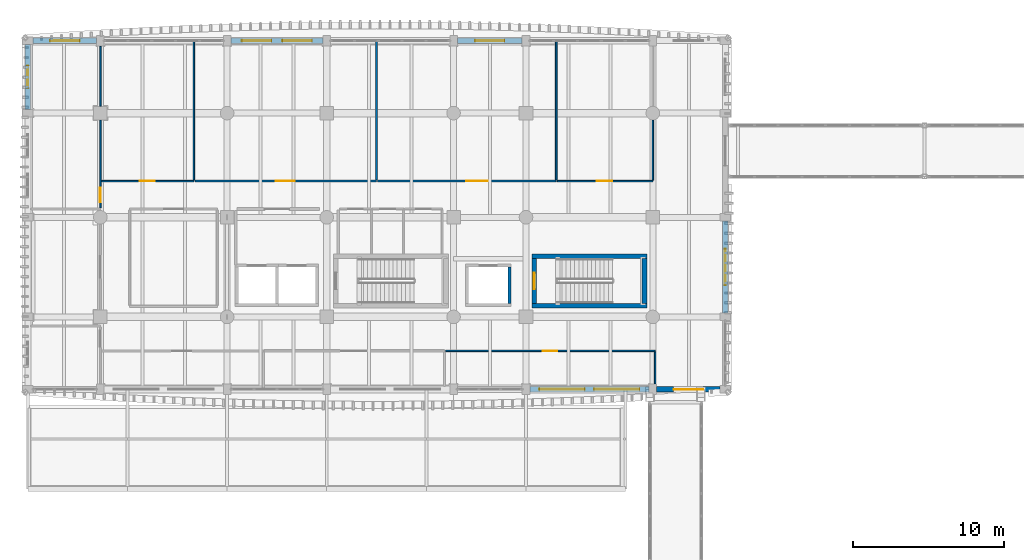
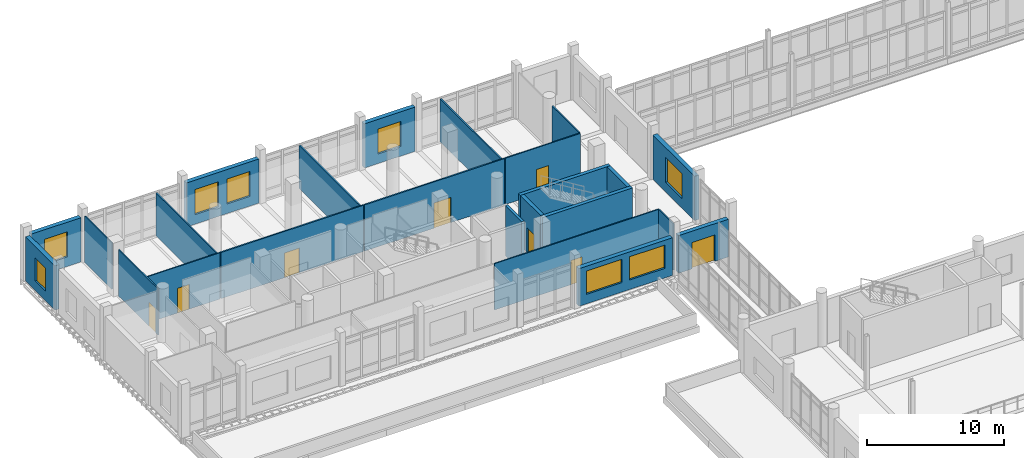
# One storey, part 92 of 125: 24 walls, 8 doors, 8 windows, 16 openings.
"""IFC4 building model written with IfcOpenShell, lengths in metres."""

import ifcopenshell
import ifcopenshell.guid

model = None  # the IFC model being written
_history = None  # IfcOwnerHistory: only IFC2X3 demands one
_inside = {}  # id of a spatial element -> (the spatial element, [elements in it])
_under = {}  # id of a project, library or spatial element -> (it, [spatial elements below it])
_declared = {}  # id of a project -> (the project, [libraries it declares])
_typed = {}  # id of a type object -> (the type object, [elements of that type])
_made_of = {}  # id of a material, layer set ... -> (it, [elements and type objects made of it])


def new_model(schema):
    """Start an empty IFC model of exactly this schema.

    Asked for "IFC4X3", IfcOpenShell would pick the latest addendum, in which some entities
    have other attributes; the version numbers below select the first issue.
    IFC2X3 requires an IfcOwnerHistory on every rooted entity: one is made here for all.
    """
    global model, _history
    if schema == "IFC4X3":
        model = ifcopenshell.file(schema_version=(4, 3, 0, 0))
    else:
        model = ifcopenshell.file(schema=schema)
    _inside.clear()
    _under.clear()
    _declared.clear()
    _typed.clear()
    _made_of.clear()
    _history = None
    if model.schema == "IFC2X3":
        org = make("IfcOrganization", Name="unknown")
        user = make(
            "IfcPersonAndOrganization",
            ThePerson=make("IfcPerson", FamilyName="unknown"),
            TheOrganization=org,
        )
        app = make(
            "IfcApplication",
            ApplicationDeveloper=org,
            Version="unknown",
            ApplicationFullName="unknown",
            ApplicationIdentifier="unknown",
        )
        _history = make(
            "IfcOwnerHistory",
            OwningUser=user,
            OwningApplication=app,
            ChangeAction="ADDED",
            CreationDate=0,
        )
    return model


def make(cls, **values):
    """One entity of the class cls with the attributes given. An attribute that is None is left unset."""
    return model.create_entity(
        cls, **{name: value for name, value in values.items() if value is not None}
    )


def rooted(cls, **values):
    """An entity with a GlobalId (a new one), such as an element, a storey or a relation."""
    return make(cls, GlobalId=ifcopenshell.guid.new(), OwnerHistory=_history, **values)


def si_unit(unit_type, name, prefix=None):
    """IfcSIUnit, for example si_unit("LENGTHUNIT", "METRE", prefix="MILLI")."""
    return make("IfcSIUnit", UnitType=unit_type, Prefix=prefix, Name=name)


def assignment(units):
    """IfcUnitAssignment: the units of a project."""
    return None if units is None else make("IfcUnitAssignment", Units=units)


def point(xyz):
    """IfcCartesianPoint."""
    return None if xyz is None else make("IfcCartesianPoint", Coordinates=xyz)


def direction(xyz):
    """IfcDirection."""
    return None if xyz is None else make("IfcDirection", DirectionRatios=xyz)


def frame(location, z_axis=None, x_axis=None):
    """IfcAxis2Placement3D, a coordinate frame: its origin and axes. An axis left out is left unset."""
    return make(
        "IfcAxis2Placement3D",
        Location=point(location),
        Axis=direction(z_axis),
        RefDirection=direction(x_axis),
    )


def frame_2d(location, x_axis=None):
    """IfcAxis2Placement2D, a coordinate frame in the plane: its origin and x axis."""
    return make(
        "IfcAxis2Placement2D", Location=point(location), RefDirection=direction(x_axis)
    )


def origin():
    """The frame at (0, 0, 0) with its axes left unset."""
    return frame((0.0, 0.0, 0.0))


def place(relative_to, where):
    """IfcLocalPlacement: puts the frame where relative to a parent placement (None: the world)."""
    return make(
        "IfcLocalPlacement", PlacementRelTo=relative_to, RelativePlacement=where
    )


def context(
    kind, dimensions, precision=None, world=None, true_north=None, identifier=None
):
    """IfcGeometricRepresentationContext, for example the 3D "Model" context."""
    return make(
        "IfcGeometricRepresentationContext",
        ContextIdentifier=identifier,
        ContextType=kind,
        CoordinateSpaceDimension=dimensions,
        Precision=precision,
        WorldCoordinateSystem=world,
        TrueNorth=true_north,
    )


def subcontext(parent, identifier, kind, view, scale=None):
    """IfcGeometricRepresentationSubContext, for example "Body" below "Model"."""
    return make(
        "IfcGeometricRepresentationSubContext",
        ContextIdentifier=identifier,
        ContextType=kind,
        ParentContext=parent,
        TargetScale=scale,
        TargetView=view,
    )


def project(units=None, contexts=None):
    """IfcProject with its units and contexts."""
    return rooted(
        "IfcProject",
        Name="project",
        RepresentationContexts=contexts,
        UnitsInContext=assignment(units),
    )


def spatial(cls, under=None, at=None, **own):
    """A site, building, storey or space (cls), placed at a placement, below another one or the project."""
    s = rooted(cls, ObjectPlacement=at, **own)
    if under is not None:
        _under.setdefault(under.id(), (under, []))[1].append(s)
    return s


def profile(cls, at=None, kind="AREA", **sizes):
    """A parametric profile (cls). Its sizes go by their IFC names, for example OverallWidth=200.0."""
    return make(cls, ProfileType=kind, Position=at, **sizes)


def rectangle(**sizes):
    """IfcRectangleProfileDef."""
    return profile("IfcRectangleProfileDef", **sizes)


def extrude(swept, where, along, depth):
    """IfcExtrudedAreaSolid: the profile swept, set in the frame where, extruded along a direction by depth."""
    return make(
        "IfcExtrudedAreaSolid",
        SweptArea=swept,
        Position=where,
        ExtrudedDirection=direction(along),
        Depth=depth,
    )


def shape(context_of_items, identifier, shape_type, items):
    """IfcShapeRepresentation: the items that make up one representation, for example the "Body"."""
    return make(
        "IfcShapeRepresentation",
        ContextOfItems=context_of_items,
        RepresentationIdentifier=identifier,
        RepresentationType=shape_type,
        Items=items,
    )


def material(Name=None, Category=None):
    """IfcMaterial."""
    return make("IfcMaterial", Name=Name, Category=Category)


def layer(
    of_material, thickness, ventilated=None, Name=None, Category=None, Priority=None
):
    """IfcMaterialLayer: one layer of a wall or slab, of a material (None: an air gap)."""
    return make(
        "IfcMaterialLayer",
        Material=of_material,
        LayerThickness=thickness,
        IsVentilated=ventilated,
        Name=Name,
        Category=Category,
        Priority=Priority,
    )


def layer_set(layers, Name=None):
    """IfcMaterialLayerSet."""
    return make("IfcMaterialLayerSet", MaterialLayers=layers, LayerSetName=Name)


def made_of(thing, what):
    """Note that an element or type object is made of a material, layer set ...; save() writes the relation."""
    if what is not None:
        _made_of.setdefault(what.id(), (what, []))[1].append(thing)
    return thing


def type_object(cls, material=None, **own):
    """A type object (cls), such as IfcWallType, which elements share."""
    return made_of(rooted(cls, **own), material)


def element(
    cls,
    number,
    at=None,
    inside=None,
    cuts=None,
    type_object=None,
    material=None,
    context=None,
    identifier="Body",
    shape_type=None,
    held_by="IfcProductDefinitionShape",
    body=None,
    shapes=None,
    **own,
):
    """One element of the class cls, such as IfcWall. Its Tag is "e" and its number.

    at: its placement. inside: the storey or other place that contains it. cuts: it is an
    opening in that element (IfcRelVoidsElement). A single representation is given by context,
    identifier, shape_type and body (its items); several are given by shapes. held_by: the class
    of the entity that holds the representations. save() writes the other relations.
    """
    e = rooted(cls, Tag="e%d" % number, ObjectPlacement=at, **own)
    if body is not None:
        shapes = [shape(context, identifier, shape_type, body)]
    if shapes is not None:
        e.Representation = make(held_by, Representations=shapes)
    if inside is not None:
        _inside.setdefault(inside.id(), (inside, []))[1].append(e)
    if cuts is not None:
        rooted(
            "IfcRelVoidsElement", RelatingBuildingElement=cuts, RelatedOpeningElement=e
        )
    if type_object is not None:
        _typed.setdefault(type_object.id(), (type_object, []))[1].append(e)
    return made_of(e, material)


def fill(opening, filler):
    """IfcRelFillsElement: the door or window that sits in an opening."""
    return rooted(
        "IfcRelFillsElement",
        RelatingOpeningElement=opening,
        RelatedBuildingElement=filler,
    )


def aggregate(whole, parts):
    """IfcRelAggregates: a whole, such as a stair, and the parts it consists of."""
    return rooted("IfcRelAggregates", RelatingObject=whole, RelatedObjects=parts)


def save(model, path):
    """Write the relations noted so far, then the file.

    IfcRelAggregates (storeys below a building ...), IfcRelContainedInSpatialStructure (elements
    in a storey), IfcRelDefinesByType, IfcRelAssociatesMaterial and IfcRelDeclares: one each for
    every whole, place, type object, material and project.
    """
    for whole, parts in _under.values():
        aggregate(whole, parts)
    for where, things in _inside.values():
        rooted(
            "IfcRelContainedInSpatialStructure",
            RelatedElements=things,
            RelatingStructure=where,
        )
    for kind, things in _typed.values():
        rooted("IfcRelDefinesByType", RelatedObjects=things, RelatingType=kind)
    for what, things in _made_of.values():
        rooted("IfcRelAssociatesMaterial", RelatedObjects=things, RelatingMaterial=what)
    for by, libraries in _declared.values():
        rooted("IfcRelDeclares", RelatingContext=by, RelatedDefinitions=libraries)
    model.write(path)


model = new_model("IFC4")

# Units and contexts
model_context = context("Model", 3, precision=1e-05, world=origin(), true_north=direction((0.0, 1.0)))
body_context = subcontext(model_context, "Body", "Model", "MODEL_VIEW")
ifc_project = project(units=[si_unit("LENGTHUNIT", "METRE"), si_unit("AREAUNIT", "SQUARE_METRE"), si_unit("VOLUMEUNIT", "CUBIC_METRE"), si_unit("PLANEANGLEUNIT", "RADIAN"), si_unit("MASSUNIT", "GRAM", prefix="KILO")], contexts=[model_context])

# Site, building, storey
site_placement = place(None, origin())
site = spatial("IfcSite", under=ifc_project, at=site_placement, CompositionType="ELEMENT")
building_placement = place(site_placement, origin())
building = spatial("IfcBuilding", under=site, at=building_placement, Name="Dornvale Research Institute", CompositionType="ELEMENT")
storey_placement = place(building_placement, frame((0.0, 0.0, 5.39990234375)))
storey = spatial("IfcBuildingStorey", under=building, at=storey_placement, Name="L01", CompositionType="ELEMENT", Elevation=5.39990234375)

# Wall, opening, door
ifc_material_1 = material(Name="Acoustic Insulated Double-Stud Laboratory Partition")
ifc_layer_1 = layer(ifc_material_1, 0.1201171875)
ifc_layer_set_1 = layer_set([ifc_layer_1], Name="Acoustic Insulated Double-Stud Laboratory Partition")
wall_type_1 = type_object("IfcWallType", Name="Partition_Dry_120", PredefinedType="PARTITIONING", material=ifc_layer_set_1)
wall_1_placement = place(storey_placement, frame((11.06494140625, 112.800048828125, 0.0), z_axis=(0.0, 0.0, 1.0), x_axis=(1.0, 0.0, 0.0)))
wall_1 = element("IfcWall", 1, at=wall_1_placement, inside=storey, type_object=wall_type_1, Name="L01 V5 interior partition #166", PredefinedType="PARTITIONING", context=body_context, shape_type="SweptSolid", body=[
    extrude(rectangle(XDim=12.03515625, YDim=0.1201171875, at=frame_2d((6.017578125, 0.0))), origin(), (0.0, 0.0, 1.0), 4.130126953125),
])
opening_1_placement = place(wall_1_placement, frame((5.35498046875, 0.0, 0.0)))
opening_1 = element("IfcOpeningElement", 2, at=opening_1_placement, cuts=wall_1, Name="Opening ID-10", PredefinedType="OPENING", context=body_context, shape_type="SweptSolid", body=[
    extrude(rectangle(XDim=1.260009765625, YDim=2.199951171875, at=frame_2d((0.6298828125, 1.10009765625))), frame((0.0, 0.074951171875, 0.0), z_axis=(0.0, -1.0, 0.0), x_axis=(1.0, 0.0, 0.0)), (0.0, 0.0, 1.0), 0.150146484375),
])
ifc_material_2 = material(Name="Phenolic-Faced Solid-Core Laboratory Door Assembly")
door_type_1 = type_object("IfcDoorType", Name="Door_DryLab_1260x2200", OperationType="SINGLE_SWING_LEFT", PredefinedType="DOOR", material=ifc_material_2)
door_1_placement = place(opening_1_placement, origin())
door_1 = element("IfcDoor", 3, at=door_1_placement, inside=storey, type_object=door_type_1, Name="L01 Dry Computational Laboratory L01-A door #68", OperationType="SINGLE_SWING_LEFT", OverallHeight=2.199951171875, OverallWidth=1.260009765625, PredefinedType="DOOR", context=body_context, shape_type="SweptSolid", body=[
    extrude(rectangle(XDim=1.260009765625, YDim=2.199951171875, at=frame_2d((0.6298828125, 1.10009765625))), frame((0.0, 0.02490234375, 0.0), z_axis=(0.0, -1.0, 0.0), x_axis=(1.0, 0.0, 0.0)), (0.0, 0.0, 1.0), 0.050048828125),
])
fill(opening_1, door_1)

# Wall
wall_2_placement = place(storey_placement, frame((23.10009765625, 112.875, 0.0), z_axis=(0.0, 0.0, 1.0), x_axis=(0.0, 1.0, 0.0)))
element("IfcWall", 4, at=wall_2_placement, inside=storey, type_object=wall_type_1, Name="L01 V5 interior partition #167", PredefinedType="PARTITIONING", context=body_context, shape_type="SweptSolid", body=[
    extrude(rectangle(XDim=9.18505859375, YDim=0.1201171875, at=frame_2d((4.592529296875, 0.0))), origin(), (0.0, 0.0, 1.0), 3.830078125),
])

# Wall, opening, door
wall_3_placement = place(storey_placement, frame((23.175048828125, 112.800048828125, 0.0), z_axis=(0.0, 0.0, 1.0), x_axis=(1.0, 0.0, 0.0)))
wall_3 = element("IfcWall", 5, at=wall_3_placement, inside=storey, type_object=wall_type_1, Name="L01 V5 interior partition #168", PredefinedType="PARTITIONING", context=body_context, shape_type="SweptSolid", body=[
    extrude(rectangle(XDim=11.824951171875, YDim=0.1201171875, at=frame_2d((5.91259765625, 0.0))), origin(), (0.0, 0.0, 1.0), 4.130126953125),
])
opening_2_placement = place(wall_3_placement, frame((5.85498046875, 0.0, 0.0)))
opening_2 = element("IfcOpeningElement", 6, at=opening_2_placement, cuts=wall_3, Name="Opening ID-07", PredefinedType="OPENING", context=body_context, shape_type="SweptSolid", body=[
    extrude(rectangle(XDim=1.43994140625, YDim=2.25, at=frame_2d((0.719970703125, 1.125))), frame((0.0, 0.074951171875, 0.0), z_axis=(0.0, -1.0, 0.0), x_axis=(1.0, 0.0, 0.0)), (0.0, 0.0, 1.0), 0.150146484375),
])
ifc_material_3 = material(Name="Insulated Fire-Rated Hollow Metal Door Assembly")
door_type_2 = type_object("IfcDoorType", Name="Door_DryLab_1440x2250", OperationType="SINGLE_SWING_LEFT", PredefinedType="DOOR", material=ifc_material_3)
door_2_placement = place(opening_2_placement, origin())
door_2 = element("IfcDoor", 7, at=door_2_placement, inside=storey, type_object=door_type_2, Name="L01 Bioinformatics Analysis Laboratory L01 door #69", OperationType="SINGLE_SWING_RIGHT", OverallHeight=2.25, OverallWidth=1.43994140625, PredefinedType="DOOR", context=body_context, shape_type="SweptSolid", body=[
    extrude(rectangle(XDim=1.43994140625, YDim=2.25, at=frame_2d((0.719970703125, 1.125))), frame((0.0, 0.02490234375, 0.0), z_axis=(0.0, -1.0, 0.0), x_axis=(1.0, 0.0, 0.0)), (0.0, 0.0, 1.0), 0.050048828125),
])
fill(opening_2, door_2)

# Wall
wall_4_placement = place(storey_placement, frame((35.0, 112.875, 0.0), z_axis=(0.0, 0.0, 1.0), x_axis=(0.0, 1.0, 0.0)))
element("IfcWall", 8, at=wall_4_placement, inside=storey, type_object=wall_type_1, Name="L01 V5 interior partition #169", PredefinedType="PARTITIONING", context=body_context, shape_type="SweptSolid", body=[
    extrude(rectangle(XDim=9.18505859375, YDim=0.1201171875, at=frame_2d((4.592529296875, 0.0))), origin(), (0.0, 0.0, 1.0), 3.830078125),
])

# Wall, opening, door
ifc_material_4 = material(Name="Acoustic Insulated Double-Stud Laboratory Partition")
ifc_layer_2 = layer(ifc_material_4, 0.10009765625)
ifc_layer_set_2 = layer_set([ifc_layer_2], Name="Acoustic Insulated Double-Stud Laboratory Partition")
wall_type_2 = type_object("IfcWallType", Name="Partition_Office_100", PredefinedType="PARTITIONING", material=ifc_layer_set_2)
wall_5_placement = place(storey_placement, frame((4.800048828125, 111.02490234375, 0.0), z_axis=(0.0, 0.0, 1.0), x_axis=(0.0, 1.0, 0.0)))
wall_5 = element("IfcWall", 9, at=wall_5_placement, inside=storey, type_object=wall_type_2, Name="L01 V5 interior partition #162", PredefinedType="PARTITIONING", context=body_context, shape_type="SweptSolid", body=[
    extrude(rectangle(XDim=5.80517578125, YDim=0.10009765625, at=frame_2d((2.902587890625, 0.0))), origin(), (0.0, 0.0, 1.0), 4.130126953125),
])
opening_3_placement = place(wall_5_placement, frame((0.375, 0.0, 0.0)))
opening_3 = element("IfcOpeningElement", 10, at=opening_3_placement, cuts=wall_5, Name="Opening ID-22", PredefinedType="OPENING", context=body_context, shape_type="SweptSolid", body=[
    extrude(rectangle(XDim=0.9599609375, YDim=2.14990234375, at=frame_2d((0.47998046875, 1.074951171875))), frame((0.0, 0.06494140625, 0.0), z_axis=(0.0, -1.0, 0.0), x_axis=(1.0, 0.0, 0.0)), (0.0, 0.0, 1.0), 0.130126953125),
])
ifc_material_5 = material(Name="Phenolic-Faced Solid-Core Laboratory Door Assembly")
door_type_3 = type_object("IfcDoorType", Name="Door_Office_960x2150", OperationType="SINGLE_SWING_LEFT", PredefinedType="DOOR", material=ifc_material_5)
door_3_placement = place(opening_3_placement, origin())
door_3 = element("IfcDoor", 11, at=door_3_placement, inside=storey, type_object=door_type_3, Name="L01 Principal Investigator Office L01-W door #66", OperationType="SINGLE_SWING_LEFT", OverallHeight=2.14990234375, OverallWidth=0.9599609375, PredefinedType="DOOR", context=body_context, shape_type="SweptSolid", body=[
    extrude(rectangle(XDim=0.9599609375, YDim=2.14990234375, at=frame_2d((0.47998046875, 1.074951171875))), frame((0.0, 0.02490234375, 0.0), z_axis=(0.0, -1.0, 0.0), x_axis=(1.0, 0.0, 0.0)), (0.0, 0.0, 1.0), 0.050048828125),
])
fill(opening_3, door_3)

# Wall
wall_6_placement = place(storey_placement, frame((4.800048828125, 117.77001953125, 0.0), z_axis=(0.0, 0.0, 1.0), x_axis=(0.0, 1.0, 0.0)))
element("IfcWall", 12, at=wall_6_placement, inside=storey, type_object=wall_type_2, Name="L01 V5 interior partition #163", PredefinedType="PARTITIONING", context=body_context, shape_type="SweptSolid", body=[
    extrude(rectangle(XDim=3.9599609375, YDim=0.10009765625, at=frame_2d((1.97998046875, 0.0))), origin(), (0.0, 0.0, 1.0), 4.130126953125),
])

# Wall, opening, door
wall_7_placement = place(storey_placement, frame((4.864990234375, 112.800048828125, 0.0), z_axis=(0.0, 0.0, 1.0), x_axis=(1.0, 0.0, 0.0)))
wall_7 = element("IfcWall", 13, at=wall_7_placement, inside=storey, type_object=wall_type_2, Name="L01 V5 interior partition #164", PredefinedType="PARTITIONING", context=body_context, shape_type="SweptSolid", body=[
    extrude(rectangle(XDim=6.135009765625, YDim=0.10009765625, at=frame_2d((3.0673828125, 0.0))), origin(), (0.0, 0.0, 1.0), 4.130126953125),
])
opening_4_placement = place(wall_7_placement, frame((2.544921875, 0.0, 0.0)))
opening_4 = element("IfcOpeningElement", 14, at=opening_4_placement, cuts=wall_7, Name="Opening ID-21", PredefinedType="OPENING", context=body_context, shape_type="SweptSolid", body=[
    extrude(rectangle(XDim=0.97998046875, YDim=2.199951171875, at=frame_2d((0.489990234375, 1.10009765625))), frame((0.0, 0.06494140625, 0.0), z_axis=(0.0, -1.0, 0.0), x_axis=(1.0, 0.0, 0.0)), (0.0, 0.0, 1.0), 0.130126953125),
])
ifc_material_6 = material(Name="Phenolic-Faced Solid-Core Laboratory Door Assembly")
door_type_4 = type_object("IfcDoorType", Name="Door_Office_980x2200", OperationType="SINGLE_SWING_LEFT", PredefinedType="DOOR", material=ifc_material_6)
door_4_placement = place(opening_4_placement, origin())
door_4 = element("IfcDoor", 15, at=door_4_placement, inside=storey, type_object=door_type_4, Name="L01 Principal Investigator Office L01-W door #67", OperationType="SINGLE_SWING_RIGHT", OverallHeight=2.199951171875, OverallWidth=0.97998046875, PredefinedType="DOOR", context=body_context, shape_type="SweptSolid", body=[
    extrude(rectangle(XDim=0.97998046875, YDim=2.199951171875, at=frame_2d((0.489990234375, 1.10009765625))), frame((0.0, 0.02490234375, 0.0), z_axis=(0.0, -1.0, 0.0), x_axis=(1.0, 0.0, 0.0)), (0.0, 0.0, 1.0), 0.050048828125),
])
fill(opening_4, door_4)

# Wall
wall_8_placement = place(storey_placement, frame((11.0, 112.864990234375, 0.0), z_axis=(0.0, 0.0, 1.0), x_axis=(0.0, 1.0, 0.0)))
element("IfcWall", 16, at=wall_8_placement, inside=storey, type_object=wall_type_2, Name="L01 V5 interior partition #165", PredefinedType="PARTITIONING", context=body_context, shape_type="SweptSolid", body=[
    extrude(rectangle(XDim=9.195068359375, YDim=0.10009765625, at=frame_2d((4.59765625, 0.0))), origin(), (0.0, 0.0, 1.0), 3.830078125),
])

# Wall, opening, door
wall_9_placement = place(storey_placement, frame((35.074951171875, 112.800048828125, 0.0), z_axis=(0.0, 0.0, 1.0), x_axis=(1.0, 0.0, 0.0)))
wall_9 = element("IfcWall", 17, at=wall_9_placement, inside=storey, type_object=wall_type_2, Name="L01 V5 interior partition #170", PredefinedType="PARTITIONING", context=body_context, shape_type="SweptSolid", body=[
    extrude(rectangle(XDim=6.324951171875, YDim=0.10009765625, at=frame_2d((3.16259765625, 0.0))), origin(), (0.0, 0.0, 1.0), 4.130126953125),
])
opening_5_placement = place(wall_9_placement, frame((2.614990234375, 0.0, 0.0)))
opening_5 = element("IfcOpeningElement", 18, at=opening_5_placement, cuts=wall_9, Name="Opening ID-20", PredefinedType="OPENING", context=body_context, shape_type="SweptSolid", body=[
    extrude(rectangle(XDim=1.02001953125, YDim=2.199951171875, at=frame_2d((0.510009765625, 1.10009765625))), frame((0.0, 0.06494140625, 0.0), z_axis=(0.0, -1.0, 0.0), x_axis=(1.0, 0.0, 0.0)), (0.0, 0.0, 1.0), 0.130126953125),
])
ifc_material_7 = material(Name="Phenolic-Faced Solid-Core Laboratory Door Assembly")
door_type_5 = type_object("IfcDoorType", Name="Door_WriteUp_1020x2200", OperationType="SINGLE_SWING_LEFT", PredefinedType="DOOR", material=ifc_material_7)
door_5_placement = place(opening_5_placement, origin())
door_5 = element("IfcDoor", 19, at=door_5_placement, inside=storey, type_object=door_type_5, Name="L01 Researcher Write-Up Studio L01 door #70", OperationType="SINGLE_SWING_LEFT", OverallHeight=2.199951171875, OverallWidth=1.02001953125, PredefinedType="DOOR", context=body_context, shape_type="SweptSolid", body=[
    extrude(rectangle(XDim=1.02001953125, YDim=2.199951171875, at=frame_2d((0.510009765625, 1.10009765625))), frame((0.0, 0.02490234375, 0.0), z_axis=(0.0, -1.0, 0.0), x_axis=(1.0, 0.0, 0.0)), (0.0, 0.0, 1.0), 0.050048828125),
])
fill(opening_5, door_5)

# Wall
wall_10_placement = place(storey_placement, frame((41.39990234375, 112.864990234375, 0.0), z_axis=(0.0, 0.0, 1.0), x_axis=(0.0, 1.0, 0.0)))
element("IfcWall", 20, at=wall_10_placement, inside=storey, type_object=wall_type_2, Name="L01 V5 interior partition #171", PredefinedType="PARTITIONING", context=body_context, shape_type="SweptSolid", body=[
    extrude(rectangle(XDim=3.965087890625, YDim=0.10009765625, at=frame_2d((1.982421875, 0.0))), origin(), (0.0, 0.0, 1.0), 4.130126953125),
])

# Wall, opening, door
wall_11_placement = place(storey_placement, frame((27.675048828125, 101.550048828125, 0.0), z_axis=(0.0, 0.0, 1.0), x_axis=(1.0, 0.0, 0.0)))
wall_11 = element("IfcWall", 21, at=wall_11_placement, inside=storey, type_object=wall_type_2, Name="L01 V5 interior partition #178", PredefinedType="PARTITIONING", context=body_context, shape_type="SweptSolid", body=[
    extrude(rectangle(XDim=13.875, YDim=0.10009765625, at=frame_2d((6.9375, 0.0))), origin(), (0.0, 0.0, 1.0), 4.130126953125),
])
opening_6_placement = place(wall_11_placement, frame((6.425048828125, 0.0, 0.0)))
opening_6 = element("IfcOpeningElement", 22, at=opening_6_placement, cuts=wall_11, Name="Opening ID-22", PredefinedType="OPENING", context=body_context, shape_type="SweptSolid", body=[
    extrude(rectangle(XDim=0.9599609375, YDim=2.14990234375, at=frame_2d((0.47998046875, 1.074951171875))), frame((0.0, 0.06494140625, 0.0), z_axis=(0.0, -1.0, 0.0), x_axis=(1.0, 0.0, 0.0)), (0.0, 0.0, 1.0), 0.130126953125),
])
door_6_placement = place(opening_6_placement, origin())
door_6 = element("IfcDoor", 23, at=door_6_placement, inside=storey, type_object=door_type_3, Name="L01 Principal Investigator Office L01-S door #74", OperationType="SINGLE_SWING_LEFT", OverallHeight=2.14990234375, OverallWidth=0.9599609375, PredefinedType="DOOR", context=body_context, shape_type="SweptSolid", body=[
    extrude(rectangle(XDim=0.9599609375, YDim=2.14990234375, at=frame_2d((0.47998046875, 1.074951171875))), frame((0.0, 0.02490234375, 0.0), z_axis=(0.0, -1.0, 0.0), x_axis=(1.0, 0.0, 0.0)), (0.0, 0.0, 1.0), 0.050048828125),
])
fill(opening_6, door_6)

# Walls
wall_12_placement = place(storey_placement, frame((41.550048828125, 99.3701171875, 0.0), z_axis=(0.0, 0.0, 1.0), x_axis=(0.0, 1.0, 0.0)))
element("IfcWall", 24, at=wall_12_placement, inside=storey, type_object=wall_type_2, Name="L01 V5 interior partition #179", PredefinedType="PARTITIONING", context=body_context, shape_type="SweptSolid", body=[
    extrude(rectangle(XDim=2.114990234375, YDim=0.10009765625, at=frame_2d((1.0576171875, 0.0))), origin(), (0.0, 0.0, 1.0), 4.130126953125),
])
ifc_material_8 = material(Name="Concrete f'c 50 MPa (C40/50)", Category="concrete")
ifc_layer_3 = layer(ifc_material_8, 0.300048828125)
ifc_layer_set_3 = layer_set([ifc_layer_3], Name="Concrete f'c 50 MPa (C40/50)")
wall_type_3 = type_object("IfcWallType", Name="ShearWall_Core_300", PredefinedType="SHEAR", material=ifc_layer_set_3)
for number, where, z_axis, x_axis, name in (
    (25, (33.39990234375, 104.550048828125, 0.0), (0.0, 0.0, 1.0), (1.0, 0.0, 0.0), "L01 ST-2 shaft shear wall south"),
    (26, (33.39990234375, 107.81005859375, 0.0), (0.0, 0.0, 1.0), (1.0, 0.0, 0.0), "L01 ST-2 shaft shear wall north"),
):
    element("IfcWall", number, at=place(storey_placement, frame(where, z_axis=z_axis, x_axis=x_axis)), inside=storey, type_object=wall_type_3, Name=name, PredefinedType="SHEAR", context=body_context, shape_type="SweptSolid", body=[
        extrude(rectangle(XDim=7.60009765625, YDim=0.300048828125, at=frame_2d((3.800048828125, 0.0))), origin(), (0.0, 0.0, 1.0), 4.47998046875),
    ])

# Wall, opening, door
wall_13_placement = place(storey_placement, frame((33.550048828125, 104.699951171875, 0.0), z_axis=(0.0, 0.0, 1.0), x_axis=(0.0, 1.0, 0.0)))
wall_13 = element("IfcWall", 27, at=wall_13_placement, inside=storey, type_object=wall_type_3, Name="L01 ST-2 shaft shear wall west", PredefinedType="SHEAR", context=body_context, shape_type="SweptSolid", body=[
    extrude(rectangle(XDim=2.9599609375, YDim=0.300048828125, at=frame_2d((1.47998046875, 0.0))), origin(), (0.0, 0.0, 1.0), 4.47998046875),
])
opening_7_placement = place(wall_13_placement, frame((0.93994140625, 0.0, 0.0)))
opening_7 = element("IfcOpeningElement", 28, at=opening_7_placement, cuts=wall_13, Name="Opening SD-02", PredefinedType="OPENING", context=body_context, shape_type="SweptSolid", body=[
    extrude(rectangle(XDim=1.080078125, YDim=2.199951171875, at=frame_2d((0.5400390625, 1.10009765625))), frame((0.0, 0.1650390625, 0.0), z_axis=(0.0, -1.0, 0.0), x_axis=(1.0, 0.0, 0.0)), (0.0, 0.0, 1.0), 0.330078125),
])
ifc_material_9 = material(Name="Insulated Fire-Rated Hollow Metal Door Assembly")
door_type_6 = type_object("IfcDoorType", Name="Door_Stair_1080x2200", OperationType="SINGLE_SWING_LEFT", PredefinedType="DOOR", material=ifc_material_9)
door_7_placement = place(opening_7_placement, origin())
door_7 = element("IfcDoor", 29, at=door_7_placement, inside=storey, type_object=door_type_6, Name="L01 ST-2 exit stair door #15", OperationType="SINGLE_SWING_RIGHT", OverallHeight=2.199951171875, OverallWidth=1.080078125, PredefinedType="DOOR", context=body_context, shape_type="SweptSolid", body=[
    extrude(rectangle(XDim=1.080078125, YDim=2.199951171875, at=frame_2d((0.5400390625, 1.10009765625))), frame((0.0, 0.02490234375, 0.0), z_axis=(0.0, -1.0, 0.0), x_axis=(1.0, 0.0, 0.0)), (0.0, 0.0, 1.0), 0.050048828125),
])
fill(opening_7, door_7)

# Walls
wall_14_placement = place(storey_placement, frame((40.85009765625, 104.699951171875, 0.0), z_axis=(0.0, 0.0, 1.0), x_axis=(0.0, 1.0, 0.0)))
element("IfcWall", 30, at=wall_14_placement, inside=storey, type_object=wall_type_3, Name="L01 ST-2 shaft shear wall east", PredefinedType="SHEAR", context=body_context, shape_type="SweptSolid", body=[
    extrude(rectangle(XDim=2.9599609375, YDim=0.300048828125, at=frame_2d((1.47998046875, 0.0))), origin(), (0.0, 0.0, 1.0), 4.47998046875),
])
ifc_material_10 = material(Name="Concrete f'c 45 MPa (C35/45)", Category="concrete")
ifc_layer_4 = layer(ifc_material_10, 0.219970703125)
ifc_layer_set_4 = layer_set([ifc_layer_4], Name="Concrete f'c 45 MPa (C35/45)")
wall_type_4 = type_object("IfcWallType", Name="ShearWall_Shaft_220", PredefinedType="SHEAR", material=ifc_layer_set_4)
wall_15_placement = place(storey_placement, frame((31.909912109375, 104.699951171875, 0.0), z_axis=(0.0, 0.0, 1.0), x_axis=(0.0, 1.0, 0.0)))
element("IfcWall", 31, at=wall_15_placement, inside=storey, type_object=wall_type_4, Name="L01 LP1 elevator shaft wall east", PredefinedType="SHEAR", context=body_context, shape_type="SweptSolid", body=[
    extrude(rectangle(XDim=2.400146484375, YDim=0.219970703125, at=frame_2d((1.2001953125, 0.0))), origin(), (0.0, 0.0, 1.0), 4.47998046875),
])

# Wall, opening, window
ifc_material_11 = material(Name="Catalan Pressed Brick and Insulated Cavity Assembly", Category="masonry")
ifc_layer_5 = layer(ifc_material_11, 0.360107421875)
ifc_layer_set_5 = layer_set([ifc_layer_5], Name="Catalan Pressed Brick and Insulated Cavity Assembly")
wall_type_5 = type_object("IfcWallType", Name="StandardWall_BrickCavity_360", PredefinedType="STANDARD", material=ifc_layer_set_5)
wall_16_placement = place(storey_placement, frame((0.0, 117.550048828125, 0.0), z_axis=(0.0, 0.0, 1.0), x_axis=(0.0, 1.0, 0.0)))
wall_16 = element("IfcWall", 32, at=wall_16_placement, inside=storey, type_object=wall_type_5, Name="L01 V5 west exterior wall #306", PredefinedType="STANDARD", context=body_context, shape_type="SweptSolid", body=[
    extrude(rectangle(XDim=4.300048828125, YDim=0.360107421875, at=frame_2d((2.14990234375, 0.0))), origin(), (0.0, 0.0, 1.0), 3.9501953125),
])
opening_8_placement = place(wall_16_placement, frame((1.39990234375, 0.0, 0.85009765625)))
opening_8 = element("IfcOpeningElement", 33, at=opening_8_placement, cuts=wall_16, Name="Opening W-39", PredefinedType="OPENING", context=body_context, shape_type="SweptSolid", body=[
    extrude(rectangle(XDim=1.5, YDim=2.080078125, at=frame_2d((0.75, 1.0400390625))), frame((0.0, 0.195068359375, 0.0), z_axis=(0.0, -1.0, 0.0), x_axis=(1.0, 0.0, 0.0)), (0.0, 0.0, 1.0), 0.39013671875),
])
ifc_material_12 = material(Name="Low-E Argon Double Insulating Glazing Unit", Category="glass")
window_type_1 = type_object("IfcWindowType", Name="Window_Alu_1500x2080_39", PartitioningType="SINGLE_PANEL", PredefinedType="WINDOW", material=ifc_material_12)
window_1_placement = place(opening_8_placement, origin())
window_1 = element("IfcWindow", 34, at=window_1_placement, inside=storey, type_object=window_type_1, Name="L01 V5 facade window W-39 #419", OverallHeight=2.080078125, OverallWidth=1.5, PartitioningType="SINGLE_PANEL", PredefinedType="WINDOW", context=body_context, shape_type="SweptSolid", body=[
    extrude(rectangle(XDim=1.5, YDim=2.080078125, at=frame_2d((0.75, 1.0400390625))), frame((0.0, 0.030029296875, 0.0), z_axis=(0.0, -1.0, 0.0), x_axis=(1.0, 0.0, 0.0)), (0.0, 0.0, 1.0), 0.06005859375),
])
fill(opening_8, window_1)

wall_17_placement = place(storey_placement, frame((0.35009765625, 122.10009765625, 0.0), z_axis=(0.0, 0.0, 1.0), x_axis=(1.0, 0.0, 0.0)))
wall_17 = element("IfcWall", 35, at=wall_17_placement, inside=storey, type_object=wall_type_5, Name="L01 V5 north exterior wall #307", PredefinedType="STANDARD", context=body_context, shape_type="SweptSolid", body=[
    extrude(rectangle(XDim=4.199951171875, YDim=0.360107421875, at=frame_2d((2.10009765625, 0.0))), origin(), (0.0, 0.0, 1.0), 3.9501953125),
])
opening_9_placement = place(wall_17_placement, frame((1.125, 0.0, 0.85009765625)))
opening_9 = element("IfcOpeningElement", 36, at=opening_9_placement, cuts=wall_17, Name="Opening W-42", PredefinedType="OPENING", context=body_context, shape_type="SweptSolid", body=[
    extrude(rectangle(XDim=1.949951171875, YDim=2.239990234375, at=frame_2d((0.97509765625, 1.1201171875))), frame((0.0, 0.195068359375, 0.0), z_axis=(0.0, -1.0, 0.0), x_axis=(1.0, 0.0, 0.0)), (0.0, 0.0, 1.0), 0.39013671875),
])
ifc_material_13 = material(Name="Low-E Argon Double Insulating Glazing Unit", Category="glass")
window_type_2 = type_object("IfcWindowType", Name="Window_Alu_1950x2240_42", PartitioningType="DOUBLE_PANEL_VERTICAL", PredefinedType="WINDOW", material=ifc_material_13)
window_2_placement = place(opening_9_placement, origin())
window_2 = element("IfcWindow", 37, at=window_2_placement, inside=storey, type_object=window_type_2, Name="L01 V5 facade window W-42 #420", OverallHeight=2.239990234375, OverallWidth=1.949951171875, PartitioningType="DOUBLE_PANEL_VERTICAL", PredefinedType="WINDOW", context=body_context, shape_type="SweptSolid", body=[
    extrude(rectangle(XDim=1.949951171875, YDim=2.239990234375, at=frame_2d((0.97509765625, 1.1201171875))), frame((0.0, 0.030029296875, 0.0), z_axis=(0.0, -1.0, 0.0), x_axis=(1.0, 0.0, 0.0)), (0.0, 0.0, 1.0), 0.06005859375),
])
fill(opening_9, window_2)

# Wall, openings, windows
wall_18_placement = place(storey_placement, frame((13.449951171875, 122.10009765625, 0.0), z_axis=(0.0, 0.0, 1.0), x_axis=(1.0, 0.0, 0.0)))
wall_18 = element("IfcWall", 38, at=wall_18_placement, inside=storey, type_object=wall_type_5, Name="L01 V5 north exterior wall #308", PredefinedType="STANDARD", context=body_context, shape_type="SweptSolid", body=[
    extrude(rectangle(XDim=6.10009765625, YDim=0.360107421875, at=frame_2d((3.050048828125, 0.0))), origin(), (0.0, 0.0, 1.0), 3.93017578125),
])
opening_10_placement = place(wall_18_placement, frame((0.7333984375, 0.0, 0.85009765625)))
opening_10 = element("IfcOpeningElement", 39, at=opening_10_placement, cuts=wall_18, Name="Opening W-42", PredefinedType="OPENING", context=body_context, shape_type="SweptSolid", body=[
    extrude(rectangle(XDim=1.949951171875, YDim=2.239990234375, at=frame_2d((0.97509765625, 1.1201171875))), frame((0.0, 0.195068359375, 0.0), z_axis=(0.0, -1.0, 0.0), x_axis=(1.0, 0.0, 0.0)), (0.0, 0.0, 1.0), 0.39013671875),
])
opening_11_placement = place(wall_18_placement, frame((3.41650390625, 0.0, 0.85009765625)))
opening_11 = element("IfcOpeningElement", 40, at=opening_11_placement, cuts=wall_18, Name="Opening W-42", PredefinedType="OPENING", context=body_context, shape_type="SweptSolid", body=[
    extrude(rectangle(XDim=1.949951171875, YDim=2.239990234375, at=frame_2d((0.97509765625, 1.1201171875))), frame((0.0, 0.195068359375, 0.0), z_axis=(0.0, -1.0, 0.0), x_axis=(1.0, 0.0, 0.0)), (0.0, 0.0, 1.0), 0.39013671875),
])
window_3_placement = place(opening_10_placement, origin())
window_3 = element("IfcWindow", 41, at=window_3_placement, inside=storey, type_object=window_type_2, Name="L01 V5 facade window W-42 #421", OverallHeight=2.239990234375, OverallWidth=1.949951171875, PartitioningType="DOUBLE_PANEL_VERTICAL", PredefinedType="WINDOW", context=body_context, shape_type="SweptSolid", body=[
    extrude(rectangle(XDim=1.949951171875, YDim=2.239990234375, at=frame_2d((0.97509765625, 1.1201171875))), frame((0.0, 0.030029296875, 0.0), z_axis=(0.0, -1.0, 0.0), x_axis=(1.0, 0.0, 0.0)), (0.0, 0.0, 1.0), 0.06005859375),
])
fill(opening_10, window_3)
window_4_placement = place(opening_11_placement, origin())
window_4 = element("IfcWindow", 42, at=window_4_placement, inside=storey, type_object=window_type_2, Name="L01 V5 facade window W-42 #422", OverallHeight=2.239990234375, OverallWidth=1.949951171875, PartitioningType="DOUBLE_PANEL_VERTICAL", PredefinedType="WINDOW", context=body_context, shape_type="SweptSolid", body=[
    extrude(rectangle(XDim=1.949951171875, YDim=2.239990234375, at=frame_2d((0.97509765625, 1.1201171875))), frame((0.0, 0.030029296875, 0.0), z_axis=(0.0, -1.0, 0.0), x_axis=(1.0, 0.0, 0.0)), (0.0, 0.0, 1.0), 0.06005859375),
])
fill(opening_11, window_4)

# Wall, opening, window
wall_19_placement = place(storey_placement, frame((28.449951171875, 122.10009765625, 0.0), z_axis=(0.0, 0.0, 1.0), x_axis=(1.0, 0.0, 0.0)))
wall_19 = element("IfcWall", 43, at=wall_19_placement, inside=storey, type_object=wall_type_5, Name="L01 V5 north exterior wall #309", PredefinedType="STANDARD", context=body_context, shape_type="SweptSolid", body=[
    extrude(rectangle(XDim=4.300048828125, YDim=0.360107421875, at=frame_2d((2.14990234375, 0.0))), origin(), (0.0, 0.0, 1.0), 3.9501953125),
])
opening_12_placement = place(wall_19_placement, frame((1.175048828125, 0.0, 0.85009765625)))
opening_12 = element("IfcOpeningElement", 44, at=opening_12_placement, cuts=wall_19, Name="Opening W-42", PredefinedType="OPENING", context=body_context, shape_type="SweptSolid", body=[
    extrude(rectangle(XDim=1.949951171875, YDim=2.239990234375, at=frame_2d((0.97509765625, 1.1201171875))), frame((0.0, 0.195068359375, 0.0), z_axis=(0.0, -1.0, 0.0), x_axis=(1.0, 0.0, 0.0)), (0.0, 0.0, 1.0), 0.39013671875),
])
window_5_placement = place(opening_12_placement, origin())
window_5 = element("IfcWindow", 45, at=window_5_placement, inside=storey, type_object=window_type_2, Name="L01 V5 facade window W-42 #423", OverallHeight=2.239990234375, OverallWidth=1.949951171875, PartitioningType="DOUBLE_PANEL_VERTICAL", PredefinedType="WINDOW", context=body_context, shape_type="SweptSolid", body=[
    extrude(rectangle(XDim=1.949951171875, YDim=2.239990234375, at=frame_2d((0.97509765625, 1.1201171875))), frame((0.0, 0.030029296875, 0.0), z_axis=(0.0, -1.0, 0.0), x_axis=(1.0, 0.0, 0.0)), (0.0, 0.0, 1.0), 0.06005859375),
])
fill(opening_12, window_5)

wall_20_placement = place(storey_placement, frame((46.199951171875, 110.14990234375, 0.0), z_axis=(0.0, 0.0, 1.0), x_axis=(0.0, -1.0, 0.0)))
wall_20 = element("IfcWall", 46, at=wall_20_placement, inside=storey, type_object=wall_type_5, Name="L01 V5 east exterior wall #313", PredefinedType="STANDARD", context=body_context, shape_type="SweptSolid", body=[
    extrude(rectangle(XDim=6.099853515625, YDim=0.360107421875, at=frame_2d((3.0498046875, 0.0))), origin(), (0.0, 0.0, 1.0), 3.9501953125),
])
opening_13_placement = place(wall_20_placement, frame((1.85009765625, 0.0, 0.85009765625)))
opening_13 = element("IfcOpeningElement", 47, at=opening_13_placement, cuts=wall_20, Name="Opening W-45", PredefinedType="OPENING", context=body_context, shape_type="SweptSolid", body=[
    extrude(rectangle(XDim=2.39990234375, YDim=2.239990234375, at=frame_2d((1.199951171875, 1.1201171875))), frame((0.0, 0.195068359375, 0.0), z_axis=(0.0, -1.0, 0.0), x_axis=(1.0, 0.0, 0.0)), (0.0, 0.0, 1.0), 0.39013671875),
])
ifc_material_14 = material(Name="Low-E Argon Double Insulating Glazing Unit", Category="glass")
window_type_3 = type_object("IfcWindowType", Name="Window_Alu_2400x2240_45", PartitioningType="DOUBLE_PANEL_VERTICAL", PredefinedType="WINDOW", material=ifc_material_14)
window_6_placement = place(opening_13_placement, origin())
window_6 = element("IfcWindow", 48, at=window_6_placement, inside=storey, type_object=window_type_3, Name="L01 V5 facade window W-45 #426", OverallHeight=2.239990234375, OverallWidth=2.39990234375, PartitioningType="DOUBLE_PANEL_VERTICAL", PredefinedType="WINDOW", context=body_context, shape_type="SweptSolid", body=[
    extrude(rectangle(XDim=2.39990234375, YDim=2.239990234375, at=frame_2d((1.199951171875, 1.1201171875))), frame((0.0, 0.030029296875, 0.0), z_axis=(0.0, -1.0, 0.0), x_axis=(1.0, 0.0, 0.0)), (0.0, 0.0, 1.0), 0.06005859375),
])
fill(opening_13, window_6)

# Wall, opening, door
wall_21_placement = place(storey_placement, frame((45.85009765625, 99.0, 0.0), z_axis=(0.0, 0.0, 1.0), x_axis=(-1.0, 0.0, 0.0)))
wall_21 = element("IfcWall", 49, at=wall_21_placement, inside=storey, type_object=wall_type_5, Name="L01 V5 south exterior wall #314", PredefinedType="STANDARD", context=body_context, shape_type="SweptSolid", body=[
    extrude(rectangle(XDim=4.2001953125, YDim=0.360107421875, at=frame_2d((2.10009765625, 0.0))), origin(), (0.0, 0.0, 1.0), 3.360107421875),
])
opening_14_placement = place(wall_21_placement, frame((1.125, 0.0, 0.0)))
opening_14 = element("IfcOpeningElement", 50, at=opening_14_placement, cuts=wall_21, Name="Opening BD-01", PredefinedType="OPENING", context=body_context, shape_type="SweptSolid", body=[
    extrude(rectangle(XDim=1.949951171875, YDim=2.35009765625, at=frame_2d((0.97509765625, 1.175048828125))), frame((0.0, 0.195068359375, 0.0), z_axis=(0.0, -1.0, 0.0), x_axis=(1.0, 0.0, 0.0)), (0.0, 0.0, 1.0), 0.39013671875),
])
ifc_material_15 = material(Name="Galvanized Hollow Metal Insulated Door Assembly")
door_type_7 = type_object("IfcDoorType", Name="Door_BridgeJoint_1950x2350", OperationType="SINGLE_SWING_LEFT", PredefinedType="DOOR", material=ifc_material_15)
door_8_placement = place(opening_14_placement, origin())
door_8 = element("IfcDoor", 51, at=door_8_placement, inside=storey, type_object=door_type_7, Name="L01 V5 skybridge door BD-01 #32", OperationType="DOUBLE_DOOR_SINGLE_SWING", OverallHeight=2.35009765625, OverallWidth=1.949951171875, PredefinedType="DOOR", context=body_context, shape_type="SweptSolid", body=[
    extrude(rectangle(XDim=1.949951171875, YDim=2.35009765625, at=frame_2d((0.97509765625, 1.175048828125))), frame((0.0, 0.02490234375, 0.0), z_axis=(0.0, -1.0, 0.0), x_axis=(1.0, 0.0, 0.0)), (0.0, 0.0, 1.0), 0.050048828125),
])
fill(opening_14, door_8)

# Wall, openings, windows
wall_22_placement = place(storey_placement, frame((41.14990234375, 99.0, 0.0), z_axis=(0.0, 0.0, 1.0), x_axis=(-1.0, 0.0, 0.0)))
wall_22 = element("IfcWall", 52, at=wall_22_placement, inside=storey, type_object=wall_type_5, Name="L01 V5 south exterior wall #315", PredefinedType="STANDARD", context=body_context, shape_type="SweptSolid", body=[
    extrude(rectangle(XDim=7.89990234375, YDim=0.360107421875, at=frame_2d((3.949951171875, 0.0))), origin(), (0.0, 0.0, 1.0), 3.360107421875),
])
opening_15_placement = place(wall_22_placement, frame((0.63330078125, 0.0, 0.85009765625)))
opening_15 = element("IfcOpeningElement", 53, at=opening_15_placement, cuts=wall_22, Name="Opening W-48", PredefinedType="OPENING", context=body_context, shape_type="SweptSolid", body=[
    extrude(rectangle(XDim=3.0, YDim=2.080078125, at=frame_2d((1.5, 1.0400390625))), frame((0.0, 0.195068359375, 0.0), z_axis=(0.0, -1.0, 0.0), x_axis=(1.0, 0.0, 0.0)), (0.0, 0.0, 1.0), 0.39013671875),
])
opening_16_placement = place(wall_22_placement, frame((4.2666015625, 0.0, 0.85009765625)))
opening_16 = element("IfcOpeningElement", 54, at=opening_16_placement, cuts=wall_22, Name="Opening W-48", PredefinedType="OPENING", context=body_context, shape_type="SweptSolid", body=[
    extrude(rectangle(XDim=3.0, YDim=2.080078125, at=frame_2d((1.5, 1.0400390625))), frame((0.0, 0.195068359375, 0.0), z_axis=(0.0, -1.0, 0.0), x_axis=(1.0, 0.0, 0.0)), (0.0, 0.0, 1.0), 0.39013671875),
])
ifc_material_16 = material(Name="Low-E Argon Double Insulating Glazing Unit", Category="glass")
window_type_4 = type_object("IfcWindowType", Name="Window_Alu_3000x2080_48", PartitioningType="DOUBLE_PANEL_VERTICAL", PredefinedType="WINDOW", material=ifc_material_16)
window_7_placement = place(opening_15_placement, origin())
window_7 = element("IfcWindow", 55, at=window_7_placement, inside=storey, type_object=window_type_4, Name="L01 V5 facade window W-48 #427", OverallHeight=2.080078125, OverallWidth=3.0, PartitioningType="DOUBLE_PANEL_VERTICAL", PredefinedType="WINDOW", context=body_context, shape_type="SweptSolid", body=[
    extrude(rectangle(XDim=3.0, YDim=2.080078125, at=frame_2d((1.5, 1.0400390625))), frame((0.0, 0.030029296875, 0.0), z_axis=(0.0, -1.0, 0.0), x_axis=(1.0, 0.0, 0.0)), (0.0, 0.0, 1.0), 0.06005859375),
])
fill(opening_15, window_7)
window_8_placement = place(opening_16_placement, origin())
window_8 = element("IfcWindow", 56, at=window_8_placement, inside=storey, type_object=window_type_4, Name="L01 V5 facade window W-48 #428", OverallHeight=2.080078125, OverallWidth=3.0, PartitioningType="DOUBLE_PANEL_VERTICAL", PredefinedType="WINDOW", context=body_context, shape_type="SweptSolid", body=[
    extrude(rectangle(XDim=3.0, YDim=2.080078125, at=frame_2d((1.5, 1.0400390625))), frame((0.0, 0.030029296875, 0.0), z_axis=(0.0, -1.0, 0.0), x_axis=(1.0, 0.0, 0.0)), (0.0, 0.0, 1.0), 0.06005859375),
])
fill(opening_16, window_8)

save(model, "model.ifc")
